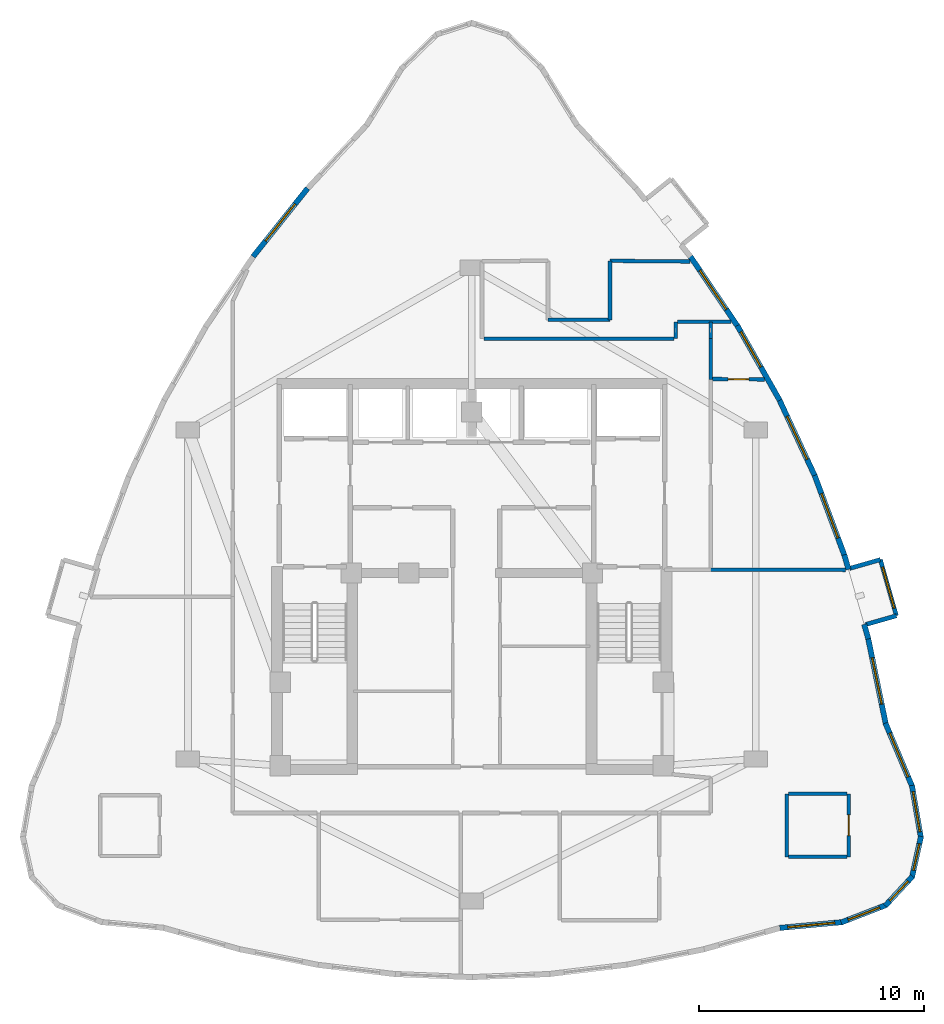
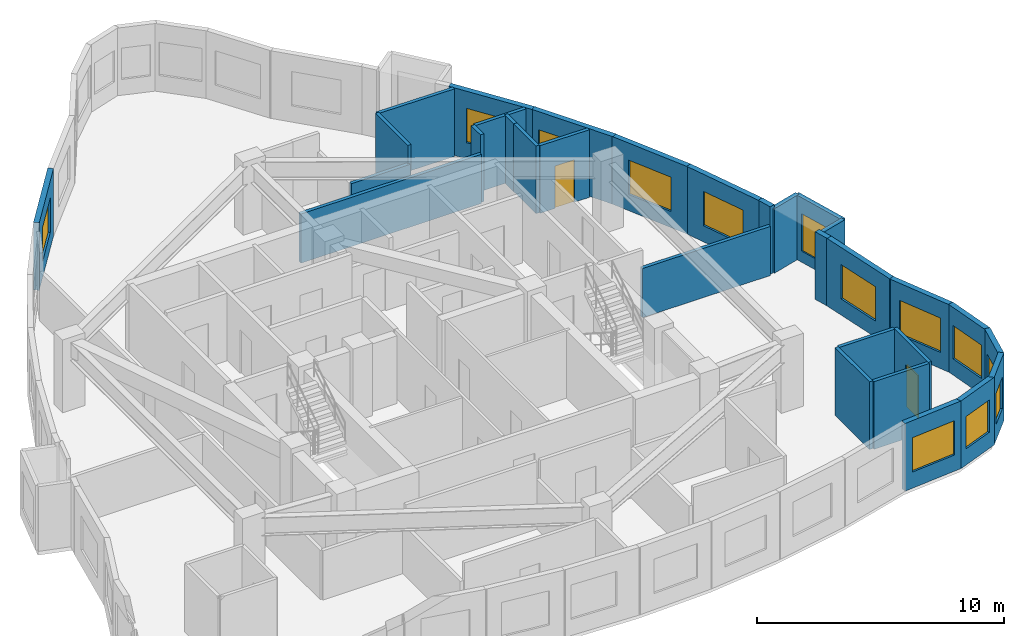
# One storey, part 6 of 8: 31 walls, 13 windows, 2 doors, 15 openings.
"""IFC4 building model written with IfcOpenShell, lengths in metres."""

from ifc_helpers import new_model, si_unit, direction, frame, frame_2d, origin, place, context, subcontext, project, spatial, rectangle, extrude, material, layer, layer_set, type_object, element, fill, save


model = new_model("IFC4")

# Units and contexts
model_context = context("Model", 3, precision=1e-05, world=origin(), true_north=direction((0.0, 1.0)))
body_context = subcontext(model_context, "Body", "Model", "MODEL_VIEW")
ifc_project = project(units=[si_unit("LENGTHUNIT", "METRE"), si_unit("AREAUNIT", "SQUARE_METRE"), si_unit("VOLUMEUNIT", "CUBIC_METRE"), si_unit("PLANEANGLEUNIT", "RADIAN"), si_unit("MASSUNIT", "GRAM", prefix="KILO")], contexts=[model_context])

# Site, building, storey
site_placement = place(None, origin())
site = spatial("IfcSite", under=ifc_project, at=site_placement, CompositionType="ELEMENT")
building_placement = place(site_placement, origin())
building = spatial("IfcBuilding", under=site, at=building_placement, Name="Miruveldt Soraemaru", CompositionType="ELEMENT")
storey_placement = place(building_placement, frame((0.0, 0.0, 237.60009765625)))
storey = spatial("IfcBuildingStorey", under=building, at=storey_placement, Name="L65", CompositionType="ELEMENT", Elevation=237.60009765625)

# Walls
ifc_material_1 = material(Name="White powder-coated aluminium EN AW-6060 T6", Category="aluminium")
ifc_layer_1 = layer(ifc_material_1, 0.18994140625, Name="White powder-coated aluminium EN AW-6060 T6", Category="aluminium")
ifc_layer_set_1 = layer_set([ifc_layer_1], Name="White powder-coated aluminium EN AW-6060 T6")
wall_type_1 = type_object("IfcWallType", Name="WALL-BAY-ALU190", PredefinedType="SOLIDWALL", material=ifc_layer_set_1)
wall_1_placement = place(storey_placement, frame((61.471923828125, 41.761474609375, 0.0), z_axis=(0.0, 0.0, 1.0), x_axis=(0.961439844578, 0.275015318223, 0.0)))
element("IfcWall", 1, at=wall_1_placement, inside=storey, type_object=wall_type_1, Name="L65 Bay Window Side Cheek 2L", PredefinedType="SOLIDWALL", context=body_context, shape_type="SweptSolid", body=[
    extrude(rectangle(XDim=1.4248046875, YDim=0.18994140625, at=frame_2d((0.71240234375, 0.0))), origin(), (0.0, 0.0, 1.0), 3.19482421875),
])
wall_2_placement = place(storey_placement, frame((62.129150390625, 44.6455078125, 0.0), z_axis=(0.0, 0.0, 1.0), x_axis=(-0.961452801096, -0.274970018845, 0.0)))
element("IfcWall", 2, at=wall_2_placement, inside=storey, type_object=wall_type_1, Name="L65 Bay Window Side Cheek 2R", PredefinedType="SOLIDWALL", context=body_context, shape_type="SweptSolid", body=[
    extrude(rectangle(XDim=1.425048828125, YDim=0.18994140625, at=frame_2d((0.71240234375, 0.0))), origin(), (0.0, 0.0, 1.0), 3.19482421875),
])

# Wall, opening, window
wall_3_placement = place(storey_placement, frame((62.841796875, 42.1533203125, 0.0), z_axis=(0.0, 0.0, 1.0), x_axis=(-0.274932598298, 0.961463502372, 0.0)))
wall_3 = element("IfcWall", 3, at=wall_3_placement, inside=storey, type_object=wall_type_1, Name="L65 Bay Window Front Frame 2", PredefinedType="SOLIDWALL", context=body_context, shape_type="SweptSolid", body=[
    extrude(rectangle(XDim=2.592041015625, YDim=0.18994140625, at=frame_2d((1.2958984375, 0.0))), origin(), (0.0, 0.0, 1.0), 3.19482421875),
])
opening_1_placement = place(wall_3_placement, frame((0.345947265625, 0.0, 0.550048828125)))
opening_1 = element("IfcOpeningElement", 4, at=opening_1_placement, cuts=wall_3, Name="Opening WN-6", PredefinedType="OPENING", context=body_context, shape_type="SweptSolid", body=[
    extrude(rectangle(XDim=1.89990234375, YDim=1.85009765625, at=frame_2d((0.949951171875, 0.925048828125))), frame((0.0, 0.10498046875, 0.0), z_axis=(0.0, -1.0, 0.0), x_axis=(1.0, 0.0, 0.0)), (0.0, 0.0, 1.0), 0.2099609375),
])
ifc_material_2 = material(Name="Triple low-e insulated glazing", Category="glass")
window_type_1 = type_object("IfcWindowType", Name="WIN-BAYW-1900x1850", PartitioningType="SINGLE_PANEL", PredefinedType="WINDOW", material=ifc_material_2)
window_1_placement = place(opening_1_placement, origin())
window_1 = element("IfcWindow", 5, at=window_1_placement, inside=storey, type_object=window_type_1, Name="L65 Projecting Bay Window 2", OverallHeight=1.85009765625, OverallWidth=1.89990234375, PartitioningType="SINGLE_PANEL", PredefinedType="WINDOW", context=body_context, shape_type="SweptSolid", body=[
    extrude(rectangle(XDim=1.89990234375, YDim=1.85009765625, at=frame_2d((0.949951171875, 0.925048828125))), frame((0.0, 0.030029296875, 0.0), z_axis=(0.0, -1.0, 0.0), x_axis=(1.0, 0.0, 0.0)), (0.0, 0.0, 1.0), 0.06005859375),
])
fill(opening_1, window_1)

ifc_material_3 = material(Name="Precast concrete C45/55 (45 MPa)", Category="concrete")
ifc_layer_2 = layer(ifc_material_3, 0.239990234375, Name="Precast concrete C45/55 (45 MPa)", Category="concrete")
ifc_layer_set_2 = layer_set([ifc_layer_2], Name="Precast concrete C45/55 (45 MPa)")
wall_type_2 = type_object("IfcWallType", Name="WALL-EXT-PC240", PredefinedType="SOLIDWALL", material=ifc_layer_set_2)
wall_4_placement = place(storey_placement, frame((36.711669921875, 61.12255859375, 0.0), z_axis=(0.0, 0.0, 1.0), x_axis=(-0.623620719277, -0.781727061377, 0.0)))
wall_4 = element("IfcWall", 6, at=wall_4_placement, inside=storey, type_object=wall_type_2, Name="L65 Precast Concrete Facade Wall 8", PredefinedType="SOLIDWALL", context=body_context, shape_type="SweptSolid", body=[
    extrude(rectangle(XDim=3.882080078125, YDim=0.239990234375, at=frame_2d((1.94091796875, 0.0))), origin(), (0.0, 0.0, 1.0), 3.344970703125),
])
opening_2_placement = place(wall_4_placement, frame((0.89111328125, 0.0, 0.800048828125)))
opening_2 = element("IfcOpeningElement", 7, at=opening_2_placement, cuts=wall_4, Name="Opening WN-1", PredefinedType="OPENING", context=body_context, shape_type="SweptSolid", body=[
    extrude(rectangle(XDim=2.10009765625, YDim=1.699951171875, at=frame_2d((1.050048828125, 0.85009765625))), frame((0.0, 0.1298828125, 0.0), z_axis=(0.0, -1.0, 0.0), x_axis=(1.0, 0.0, 0.0)), (0.0, 0.0, 1.0), 0.260009765625),
])
window_type_2 = type_object("IfcWindowType", Name="WIN-PUNCH-2100x1700", PartitioningType="SINGLE_PANEL", PredefinedType="WINDOW", material=ifc_material_2)
window_2_placement = place(opening_2_placement, origin())
window_2 = element("IfcWindow", 8, at=window_2_placement, inside=storey, type_object=window_type_2, Name="L65 Punched Triple-Glazed Window 08.1", OverallHeight=1.699951171875, OverallWidth=2.10009765625, PartitioningType="SINGLE_PANEL", PredefinedType="WINDOW", context=body_context, shape_type="SweptSolid", body=[
    extrude(rectangle(XDim=2.10009765625, YDim=1.699951171875, at=frame_2d((1.050048828125, 0.85009765625))), frame((0.0, 0.030029296875, 0.0), z_axis=(0.0, -1.0, 0.0), x_axis=(1.0, 0.0, 0.0)), (0.0, 0.0, 1.0), 0.06005859375),
])
fill(opening_2, window_2)

wall_5_placement = place(storey_placement, frame((57.6669921875, 28.30078125, 0.0), z_axis=(0.0, 0.0, 1.0), x_axis=(0.995765207839, 0.091932860594, 0.0)))
wall_5 = element("IfcWall", 9, at=wall_5_placement, inside=storey, type_object=wall_type_2, Name="L65 Precast Concrete Facade Wall 29", PredefinedType="SOLIDWALL", context=body_context, shape_type="SweptSolid", body=[
    extrude(rectangle(XDim=2.804443359375, YDim=0.239990234375, at=frame_2d((1.40234375, 0.0))), origin(), (0.0, 0.0, 1.0), 3.344970703125),
])
opening_3_placement = place(wall_5_placement, frame((0.35205078125, 0.0, 0.800048828125)))
opening_3 = element("IfcOpeningElement", 10, at=opening_3_placement, cuts=wall_5, Name="Opening WN-1", PredefinedType="OPENING", context=body_context, shape_type="SweptSolid", body=[
    extrude(rectangle(XDim=2.10009765625, YDim=1.699951171875, at=frame_2d((1.050048828125, 0.85009765625))), frame((0.0, 0.1298828125, 0.0), z_axis=(0.0, -1.0, 0.0), x_axis=(1.0, 0.0, 0.0)), (0.0, 0.0, 1.0), 0.260009765625),
])
window_3_placement = place(opening_3_placement, origin())
window_3 = element("IfcWindow", 11, at=window_3_placement, inside=storey, type_object=window_type_2, Name="L65 Punched Triple-Glazed Window 29.1", OverallHeight=1.699951171875, OverallWidth=2.10009765625, PartitioningType="SINGLE_PANEL", PredefinedType="WINDOW", context=body_context, shape_type="SweptSolid", body=[
    extrude(rectangle(XDim=2.10009765625, YDim=1.699951171875, at=frame_2d((1.050048828125, 0.85009765625))), frame((0.0, 0.030029296875, 0.0), z_axis=(0.0, -1.0, 0.0), x_axis=(1.0, 0.0, 0.0)), (0.0, 0.0, 1.0), 0.06005859375),
])
fill(opening_3, window_3)

wall_6_placement = place(storey_placement, frame((60.391845703125, 28.542724609375, 0.0), z_axis=(0.0, 0.0, 1.0), x_axis=(0.932246744433, 0.361823171582, 0.0)))
wall_6 = element("IfcWall", 12, at=wall_6_placement, inside=storey, type_object=wall_type_2, Name="L65 Precast Concrete Facade Wall 30", PredefinedType="SOLIDWALL", context=body_context, shape_type="SweptSolid", body=[
    extrude(rectangle(XDim=2.15576171875, YDim=0.239990234375, at=frame_2d((1.077880859375, 0.0))), origin(), (0.0, 0.0, 1.0), 3.344970703125),
])
opening_4_placement = place(wall_6_placement, frame((0.327880859375, 0.0, 0.800048828125)))
opening_4 = element("IfcOpeningElement", 13, at=opening_4_placement, cuts=wall_6, Name="Opening WN-3", PredefinedType="OPENING", context=body_context, shape_type="SweptSolid", body=[
    extrude(rectangle(XDim=1.5, YDim=1.60009765625, at=frame_2d((0.75, 0.800048828125))), frame((0.0, 0.1298828125, 0.0), z_axis=(0.0, -1.0, 0.0), x_axis=(1.0, 0.0, 0.0)), (0.0, 0.0, 1.0), 0.260009765625),
])
window_type_3 = type_object("IfcWindowType", Name="WIN-PUNCH-1500x1600", PartitioningType="SINGLE_PANEL", PredefinedType="WINDOW", material=ifc_material_2)
window_4_placement = place(opening_4_placement, origin())
window_4 = element("IfcWindow", 14, at=window_4_placement, inside=storey, type_object=window_type_3, Name="L65 Punched Triple-Glazed Window 30.1", OverallHeight=1.60009765625, OverallWidth=1.5, PartitioningType="SINGLE_PANEL", PredefinedType="WINDOW", context=body_context, shape_type="SweptSolid", body=[
    extrude(rectangle(XDim=1.5, YDim=1.60009765625, at=frame_2d((0.75, 0.800048828125))), frame((0.0, 0.030029296875, 0.0), z_axis=(0.0, -1.0, 0.0), x_axis=(1.0, 0.0, 0.0)), (0.0, 0.0, 1.0), 0.06005859375),
])
fill(opening_4, window_4)

wall_7_placement = place(storey_placement, frame((62.34521484375, 29.2841796875, 0.0), z_axis=(0.0, 0.0, 1.0), x_axis=(0.68022555835, 0.733002857953, 0.0)))
wall_7 = element("IfcWall", 15, at=wall_7_placement, inside=storey, type_object=wall_type_2, Name="L65 Precast Concrete Facade Wall 31", PredefinedType="SOLIDWALL", context=body_context, shape_type="SweptSolid", body=[
    extrude(rectangle(XDim=1.78564453125, YDim=0.239990234375, at=frame_2d((0.892822265625, 0.0))), origin(), (0.0, 0.0, 1.0), 3.344970703125),
])
opening_5_placement = place(wall_7_placement, frame((0.2919921875, 0.0, 0.780029296875)))
opening_5 = element("IfcOpeningElement", 16, at=opening_5_placement, cuts=wall_7, Name="Opening WN-4", PredefinedType="OPENING", context=body_context, shape_type="SweptSolid", body=[
    extrude(rectangle(XDim=1.199951171875, YDim=1.550048828125, at=frame_2d((0.60009765625, 0.77490234375))), frame((0.0, 0.1298828125, 0.0), z_axis=(0.0, -1.0, 0.0), x_axis=(1.0, 0.0, 0.0)), (0.0, 0.0, 1.0), 0.260009765625),
])
window_type_4 = type_object("IfcWindowType", Name="WIN-PUNCH-1200x1550", PartitioningType="SINGLE_PANEL", PredefinedType="WINDOW", material=ifc_material_2)
window_5_placement = place(opening_5_placement, origin())
window_5 = element("IfcWindow", 17, at=window_5_placement, inside=storey, type_object=window_type_4, Name="L65 Punched Triple-Glazed Window 31.1", OverallHeight=1.550048828125, OverallWidth=1.199951171875, PartitioningType="SINGLE_PANEL", PredefinedType="WINDOW", context=body_context, shape_type="SweptSolid", body=[
    extrude(rectangle(XDim=1.199951171875, YDim=1.550048828125, at=frame_2d((0.60009765625, 0.77490234375))), frame((0.0, 0.030029296875, 0.0), z_axis=(0.0, -1.0, 0.0), x_axis=(1.0, 0.0, 0.0)), (0.0, 0.0, 1.0), 0.06005859375),
])
fill(opening_5, window_5)

wall_8_placement = place(storey_placement, frame((63.5283203125, 30.533203125, 0.0), z_axis=(0.0, 0.0, 1.0), x_axis=(0.215729538574, 0.976453156166, 0.0)))
wall_8 = element("IfcWall", 18, at=wall_8_placement, inside=storey, type_object=wall_type_2, Name="L65 Precast Concrete Facade Wall 32", PredefinedType="SOLIDWALL", context=body_context, shape_type="SweptSolid", body=[
    extrude(rectangle(XDim=1.873046875, YDim=0.239990234375, at=frame_2d((0.9365234375, 0.0))), origin(), (0.0, 0.0, 1.0), 3.344970703125),
])
opening_6_placement = place(wall_8_placement, frame((0.3369140625, 0.0, 0.780029296875)))
opening_6 = element("IfcOpeningElement", 19, at=opening_6_placement, cuts=wall_8, Name="Opening WN-4", PredefinedType="OPENING", context=body_context, shape_type="SweptSolid", body=[
    extrude(rectangle(XDim=1.199951171875, YDim=1.550048828125, at=frame_2d((0.60009765625, 0.77490234375))), frame((0.0, 0.1298828125, 0.0), z_axis=(0.0, -1.0, 0.0), x_axis=(1.0, 0.0, 0.0)), (0.0, 0.0, 1.0), 0.260009765625),
])
window_6_placement = place(opening_6_placement, origin())
window_6 = element("IfcWindow", 20, at=window_6_placement, inside=storey, type_object=window_type_4, Name="L65 Punched Triple-Glazed Window 32.1", OverallHeight=1.550048828125, OverallWidth=1.199951171875, PartitioningType="SINGLE_PANEL", PredefinedType="WINDOW", context=body_context, shape_type="SweptSolid", body=[
    extrude(rectangle(XDim=1.199951171875, YDim=1.550048828125, at=frame_2d((0.60009765625, 0.77490234375))), frame((0.0, 0.030029296875, 0.0), z_axis=(0.0, -1.0, 0.0), x_axis=(1.0, 0.0, 0.0)), (0.0, 0.0, 1.0), 0.06005859375),
])
fill(opening_6, window_6)

wall_9_placement = place(storey_placement, frame((63.9306640625, 32.29345703125, 0.0), z_axis=(0.0, 0.0, 1.0), x_axis=(-0.169281623361, 0.985567720653, 0.0)))
wall_9 = element("IfcWall", 21, at=wall_9_placement, inside=storey, type_object=wall_type_2, Name="L65 Precast Concrete Facade Wall 33", PredefinedType="SOLIDWALL", context=body_context, shape_type="SweptSolid", body=[
    extrude(rectangle(XDim=2.36669921875, YDim=0.239990234375, at=frame_2d((1.183349609375, 0.0))), origin(), (0.0, 0.0, 1.0), 3.344970703125),
])
opening_7_placement = place(wall_9_placement, frame((0.282958984375, 0.0, 0.800048828125)))
opening_7 = element("IfcOpeningElement", 22, at=opening_7_placement, cuts=wall_9, Name="Opening WN-2", PredefinedType="OPENING", context=body_context, shape_type="SweptSolid", body=[
    extrude(rectangle(XDim=1.800048828125, YDim=1.64990234375, at=frame_2d((0.89990234375, 0.824951171875))), frame((0.0, 0.1298828125, 0.0), z_axis=(0.0, -1.0, 0.0), x_axis=(1.0, 0.0, 0.0)), (0.0, 0.0, 1.0), 0.260009765625),
])
window_type_5 = type_object("IfcWindowType", Name="WIN-PUNCH-1800x1650", PartitioningType="SINGLE_PANEL", PredefinedType="WINDOW", material=ifc_material_2)
window_7_placement = place(opening_7_placement, origin())
window_7 = element("IfcWindow", 23, at=window_7_placement, inside=storey, type_object=window_type_5, Name="L65 Punched Triple-Glazed Window 33.1", OverallHeight=1.64990234375, OverallWidth=1.800048828125, PartitioningType="SINGLE_PANEL", PredefinedType="WINDOW", context=body_context, shape_type="SweptSolid", body=[
    extrude(rectangle(XDim=1.800048828125, YDim=1.64990234375, at=frame_2d((0.89990234375, 0.824951171875))), frame((0.0, 0.030029296875, 0.0), z_axis=(0.0, -1.0, 0.0), x_axis=(1.0, 0.0, 0.0)), (0.0, 0.0, 1.0), 0.06005859375),
])
fill(opening_7, window_7)

wall_10_placement = place(storey_placement, frame((63.549560546875, 34.55908203125, 0.0), z_axis=(0.0, 0.0, 1.0), x_axis=(-0.388657289862, 0.921382391321, 0.0)))
wall_10 = element("IfcWall", 24, at=wall_10_placement, inside=storey, type_object=wall_type_2, Name="L65 Precast Concrete Facade Wall 34", PredefinedType="SOLIDWALL", context=body_context, shape_type="SweptSolid", body=[
    extrude(rectangle(XDim=3.072265625, YDim=0.239990234375, at=frame_2d((1.5361328125, 0.0))), origin(), (0.0, 0.0, 1.0), 3.344970703125),
])
opening_8_placement = place(wall_10_placement, frame((0.486083984375, 0.0, 0.800048828125)))
opening_8 = element("IfcOpeningElement", 25, at=opening_8_placement, cuts=wall_10, Name="Opening WN-1", PredefinedType="OPENING", context=body_context, shape_type="SweptSolid", body=[
    extrude(rectangle(XDim=2.10009765625, YDim=1.699951171875, at=frame_2d((1.050048828125, 0.85009765625))), frame((0.0, 0.1298828125, 0.0), z_axis=(0.0, -1.0, 0.0), x_axis=(1.0, 0.0, 0.0)), (0.0, 0.0, 1.0), 0.260009765625),
])
window_8_placement = place(opening_8_placement, origin())
window_8 = element("IfcWindow", 26, at=window_8_placement, inside=storey, type_object=window_type_2, Name="L65 Punched Triple-Glazed Window 34.1", OverallHeight=1.699951171875, OverallWidth=2.10009765625, PartitioningType="SINGLE_PANEL", PredefinedType="WINDOW", context=body_context, shape_type="SweptSolid", body=[
    extrude(rectangle(XDim=2.10009765625, YDim=1.699951171875, at=frame_2d((1.050048828125, 0.85009765625))), frame((0.0, 0.030029296875, 0.0), z_axis=(0.0, -1.0, 0.0), x_axis=(1.0, 0.0, 0.0)), (0.0, 0.0, 1.0), 0.06005859375),
])
fill(opening_8, window_8)

wall_11_placement = place(storey_placement, frame((62.376220703125, 37.323486328125, 0.0), z_axis=(0.0, 0.0, 1.0), x_axis=(-0.201590165502, 0.979469961343, 0.0)))
wall_11 = element("IfcWall", 27, at=wall_11_placement, inside=storey, type_object=wall_type_2, Name="L65 Precast Concrete Facade Wall 35", PredefinedType="SOLIDWALL", context=body_context, shape_type="SweptSolid", body=[
    extrude(rectangle(XDim=3.95166015625, YDim=0.239990234375, at=frame_2d((1.975830078125, 0.0))), origin(), (0.0, 0.0, 1.0), 3.344970703125),
])
opening_9_placement = place(wall_11_placement, frame((0.926025390625, 0.0, 0.800048828125)))
opening_9 = element("IfcOpeningElement", 28, at=opening_9_placement, cuts=wall_11, Name="Opening WN-1", PredefinedType="OPENING", context=body_context, shape_type="SweptSolid", body=[
    extrude(rectangle(XDim=2.10009765625, YDim=1.699951171875, at=frame_2d((1.050048828125, 0.85009765625))), frame((0.0, 0.1298828125, 0.0), z_axis=(0.0, -1.0, 0.0), x_axis=(1.0, 0.0, 0.0)), (0.0, 0.0, 1.0), 0.260009765625),
])
window_9_placement = place(opening_9_placement, origin())
window_9 = element("IfcWindow", 29, at=window_9_placement, inside=storey, type_object=window_type_2, Name="L65 Punched Triple-Glazed Window 35.1", OverallHeight=1.699951171875, OverallWidth=2.10009765625, PartitioningType="SINGLE_PANEL", PredefinedType="WINDOW", context=body_context, shape_type="SweptSolid", body=[
    extrude(rectangle(XDim=2.10009765625, YDim=1.699951171875, at=frame_2d((1.050048828125, 0.85009765625))), frame((0.0, 0.030029296875, 0.0), z_axis=(0.0, -1.0, 0.0), x_axis=(1.0, 0.0, 0.0)), (0.0, 0.0, 1.0), 0.06005859375),
])
fill(opening_9, window_9)

# Walls
wall_12_placement = place(storey_placement, frame((61.59619140625, 41.126220703125, 0.0), z_axis=(0.0, 0.0, 1.0), x_axis=(-0.274577784961, 0.961564891209, 0.0)))
element("IfcWall", 30, at=wall_12_placement, inside=storey, type_object=wall_type_2, Name="L65 Precast Pier Wall 36A", PredefinedType="SOLIDWALL", context=body_context, shape_type="SweptSolid", body=[
    extrude(rectangle(XDim=0.6748046875, YDim=0.239990234375, at=frame_2d((0.33740234375, 0.0))), origin(), (0.0, 0.0, 1.0), 3.344970703125),
])
wall_13_placement = place(storey_placement, frame((60.71435546875, 44.209716796875, 0.0), z_axis=(0.0, 0.0, 1.0), x_axis=(-0.274912223322, 0.961469328407, 0.0)))
element("IfcWall", 31, at=wall_13_placement, inside=storey, type_object=wall_type_2, Name="L65 Precast Pier Wall 36B", PredefinedType="SOLIDWALL", context=body_context, shape_type="SweptSolid", body=[
    extrude(rectangle(XDim=0.675048828125, YDim=0.239990234375, at=frame_2d((0.33740234375, 0.0))), origin(), (0.0, 0.0, 1.0), 3.344970703125),
])

# Wall, opening, window
wall_14_placement = place(storey_placement, frame((60.55078125, 44.792236328125, 0.0), z_axis=(0.0, 0.0, 1.0), x_axis=(-0.349057504323, 0.937101306517, 0.0)))
wall_14 = element("IfcWall", 32, at=wall_14_placement, inside=storey, type_object=wall_type_2, Name="L65 Precast Concrete Facade Wall 37", PredefinedType="SOLIDWALL", context=body_context, shape_type="SweptSolid", body=[
    extrude(rectangle(XDim=3.8349609375, YDim=0.239990234375, at=frame_2d((1.91748046875, 0.0))), origin(), (0.0, 0.0, 1.0), 3.344970703125),
])
opening_10_placement = place(wall_14_placement, frame((0.866943359375, 0.0, 0.800048828125)))
opening_10 = element("IfcOpeningElement", 33, at=opening_10_placement, cuts=wall_14, Name="Opening WN-1", PredefinedType="OPENING", context=body_context, shape_type="SweptSolid", body=[
    extrude(rectangle(XDim=2.10009765625, YDim=1.699951171875, at=frame_2d((1.050048828125, 0.85009765625))), frame((0.0, 0.1298828125, 0.0), z_axis=(0.0, -1.0, 0.0), x_axis=(1.0, 0.0, 0.0)), (0.0, 0.0, 1.0), 0.260009765625),
])
window_10_placement = place(opening_10_placement, origin())
window_10 = element("IfcWindow", 34, at=window_10_placement, inside=storey, type_object=window_type_2, Name="L65 Punched Triple-Glazed Window 37.1", OverallHeight=1.699951171875, OverallWidth=2.10009765625, PartitioningType="SINGLE_PANEL", PredefinedType="WINDOW", context=body_context, shape_type="SweptSolid", body=[
    extrude(rectangle(XDim=2.10009765625, YDim=1.699951171875, at=frame_2d((1.050048828125, 0.85009765625))), frame((0.0, 0.030029296875, 0.0), z_axis=(0.0, -1.0, 0.0), x_axis=(1.0, 0.0, 0.0)), (0.0, 0.0, 1.0), 0.06005859375),
])
fill(opening_10, window_10)

wall_15_placement = place(storey_placement, frame((59.2392578125, 48.3212890625, 0.0), z_axis=(0.0, 0.0, 1.0), x_axis=(-0.422289186976, 0.906461164399, 0.0)))
wall_15 = element("IfcWall", 35, at=wall_15_placement, inside=storey, type_object=wall_type_2, Name="L65 Precast Concrete Facade Wall 38", PredefinedType="SOLIDWALL", context=body_context, shape_type="SweptSolid", body=[
    extrude(rectangle(XDim=3.81103515625, YDim=0.239990234375, at=frame_2d((1.905517578125, 0.0))), origin(), (0.0, 0.0, 1.0), 3.344970703125),
])
opening_11_placement = place(wall_15_placement, frame((0.85498046875, 0.0, 0.800048828125)))
opening_11 = element("IfcOpeningElement", 36, at=opening_11_placement, cuts=wall_15, Name="Opening WN-1", PredefinedType="OPENING", context=body_context, shape_type="SweptSolid", body=[
    extrude(rectangle(XDim=2.10009765625, YDim=1.699951171875, at=frame_2d((1.050048828125, 0.85009765625))), frame((0.0, 0.1298828125, 0.0), z_axis=(0.0, -1.0, 0.0), x_axis=(1.0, 0.0, 0.0)), (0.0, 0.0, 1.0), 0.260009765625),
])
window_11_placement = place(opening_11_placement, origin())
window_11 = element("IfcWindow", 37, at=window_11_placement, inside=storey, type_object=window_type_2, Name="L65 Punched Triple-Glazed Window 38.1", OverallHeight=1.699951171875, OverallWidth=2.10009765625, PartitioningType="SINGLE_PANEL", PredefinedType="WINDOW", context=body_context, shape_type="SweptSolid", body=[
    extrude(rectangle(XDim=2.10009765625, YDim=1.699951171875, at=frame_2d((1.050048828125, 0.85009765625))), frame((0.0, 0.030029296875, 0.0), z_axis=(0.0, -1.0, 0.0), x_axis=(1.0, 0.0, 0.0)), (0.0, 0.0, 1.0), 0.06005859375),
])
fill(opening_11, window_11)

wall_16_placement = place(storey_placement, frame((57.661865234375, 51.7138671875, 0.0), z_axis=(0.0, 0.0, 1.0), x_axis=(-0.493418236868, 0.869792184103, 0.0)))
wall_16 = element("IfcWall", 38, at=wall_16_placement, inside=storey, type_object=wall_type_2, Name="L65 Precast Concrete Facade Wall 39", PredefinedType="SOLIDWALL", context=body_context, shape_type="SweptSolid", body=[
    extrude(rectangle(XDim=3.810791015625, YDim=0.239990234375, at=frame_2d((1.9052734375, 0.0))), origin(), (0.0, 0.0, 1.0), 3.344970703125),
])
opening_12_placement = place(wall_16_placement, frame((1.694091796875, 0.0, 0.800048828125)))
opening_12 = element("IfcOpeningElement", 39, at=opening_12_placement, cuts=wall_16, Name="Opening WN-2", PredefinedType="OPENING", context=body_context, shape_type="SweptSolid", body=[
    extrude(rectangle(XDim=1.800048828125, YDim=1.64990234375, at=frame_2d((0.89990234375, 0.824951171875))), frame((0.0, 0.1298828125, 0.0), z_axis=(0.0, -1.0, 0.0), x_axis=(1.0, 0.0, 0.0)), (0.0, 0.0, 1.0), 0.260009765625),
])
window_12_placement = place(opening_12_placement, origin())
window_12 = element("IfcWindow", 40, at=window_12_placement, inside=storey, type_object=window_type_5, Name="L65 Punched Triple-Glazed Window 39.1", OverallHeight=1.64990234375, OverallWidth=1.800048828125, PartitioningType="SINGLE_PANEL", PredefinedType="WINDOW", context=body_context, shape_type="SweptSolid", body=[
    extrude(rectangle(XDim=1.800048828125, YDim=1.64990234375, at=frame_2d((0.89990234375, 0.824951171875))), frame((0.0, 0.030029296875, 0.0), z_axis=(0.0, -1.0, 0.0), x_axis=(1.0, 0.0, 0.0)), (0.0, 0.0, 1.0), 0.06005859375),
])
fill(opening_12, window_12)

wall_17_placement = place(storey_placement, frame((55.818603515625, 54.96923828125, 0.0), z_axis=(0.0, 0.0, 1.0), x_axis=(-0.560811544935, 0.827943483015, 0.0)))
wall_17 = element("IfcWall", 41, at=wall_17_placement, inside=storey, type_object=wall_type_2, Name="L65 Precast Concrete Facade Wall 40", PredefinedType="SOLIDWALL", context=body_context, shape_type="SweptSolid", body=[
    extrude(rectangle(XDim=3.8349609375, YDim=0.239990234375, at=frame_2d((1.91748046875, 0.0))), origin(), (0.0, 0.0, 1.0), 3.344970703125),
])
opening_13_placement = place(wall_17_placement, frame((0.93408203125, 0.0, 0.800048828125)))
opening_13 = element("IfcOpeningElement", 42, at=opening_13_placement, cuts=wall_17, Name="Opening WN-1", PredefinedType="OPENING", context=body_context, shape_type="SweptSolid", body=[
    extrude(rectangle(XDim=2.10009765625, YDim=1.699951171875, at=frame_2d((1.050048828125, 0.85009765625))), frame((0.0, 0.1298828125, 0.0), z_axis=(0.0, -1.0, 0.0), x_axis=(1.0, 0.0, 0.0)), (0.0, 0.0, 1.0), 0.260009765625),
])
window_13_placement = place(opening_13_placement, origin())
window_13 = element("IfcWindow", 43, at=window_13_placement, inside=storey, type_object=window_type_2, Name="L65 Punched Triple-Glazed Window 40.1", OverallHeight=1.699951171875, OverallWidth=2.10009765625, PartitioningType="SINGLE_PANEL", PredefinedType="WINDOW", context=body_context, shape_type="SweptSolid", body=[
    extrude(rectangle(XDim=2.10009765625, YDim=1.699951171875, at=frame_2d((1.050048828125, 0.85009765625))), frame((0.0, 0.030029296875, 0.0), z_axis=(0.0, -1.0, 0.0), x_axis=(1.0, 0.0, 0.0)), (0.0, 0.0, 1.0), 0.06005859375),
])
fill(opening_13, window_13)

# Wall, opening, door
ifc_material_4 = material(Name="Concrete C40/50 (40 MPa)", Category="concrete")
ifc_layer_3 = layer(ifc_material_4, 0.159912109375, Name="Concrete C40/50 (40 MPa)", Category="concrete")
ifc_layer_set_3 = layer_set([ifc_layer_3], Name="Concrete C40/50 (40 MPa)")
wall_type_3 = type_object("IfcWallType", Name="WALL-INT-RC160", PredefinedType="SOLIDWALL", material=ifc_layer_set_3)
wall_18_placement = place(storey_placement, frame((60.72998046875, 31.4541015625, 0.0), z_axis=(0.0, 0.0, 1.0), x_axis=(0.0, 1.0, 0.0)))
wall_18 = element("IfcWall", 44, at=wall_18_placement, inside=storey, type_object=wall_type_3, Name="L65 Partition Wall 28", PredefinedType="SOLIDWALL", context=body_context, shape_type="SweptSolid", body=[
    extrude(rectangle(XDim=2.7998046875, YDim=0.159912109375, at=frame_2d((1.39990234375, 0.0))), origin(), (0.0, 0.0, 1.0), 3.344970703125),
])
opening_14_placement = place(wall_18_placement, frame((0.93994140625, 0.0, 0.0)))
opening_14 = element("IfcOpeningElement", 45, at=opening_14_placement, cuts=wall_18, Name="Opening D3A", PredefinedType="OPENING", context=body_context, shape_type="SweptSolid", body=[
    extrude(rectangle(XDim=0.919921875, YDim=2.10009765625, at=frame_2d((0.4599609375, 1.050048828125))), frame((0.0, 0.08984375, 0.0), z_axis=(0.0, -1.0, 0.0), x_axis=(1.0, 0.0, 0.0)), (0.0, 0.0, 1.0), 0.179931640625),
])
ifc_material_5 = material(Name="Anodised aluminium EN AW-6063 T6", Category="aluminium")
door_type = type_object("IfcDoorType", Name="DOOR-INT-920", OperationType="NOTDEFINED", PredefinedType="DOOR", material=ifc_material_5)
door_1_placement = place(opening_14_placement, origin())
door_1 = element("IfcDoor", 46, at=door_1_placement, inside=storey, type_object=door_type, Name="L65 Unit 6504 KIT Door", OperationType="SINGLE_SWING_RIGHT", OverallHeight=2.10009765625, OverallWidth=0.919921875, PredefinedType="DOOR", context=body_context, shape_type="SweptSolid", body=[
    extrude(rectangle(XDim=0.919921875, YDim=2.10009765625, at=frame_2d((0.4599609375, 1.050048828125))), frame((0.0, 0.02490234375, 0.0), z_axis=(0.0, -1.0, 0.0), x_axis=(1.0, 0.0, 0.0)), (0.0, 0.0, 1.0), 0.050048828125),
])
fill(opening_14, door_1)

wall_19_placement = place(storey_placement, frame((56.98388671875, 52.635986328125, 0.0), z_axis=(0.0, 0.0, 1.0), x_axis=(-0.999935727117, 0.011337620303, 0.0)))
wall_19 = element("IfcWall", 47, at=wall_19_placement, inside=storey, type_object=wall_type_3, Name="L65 Partition Wall 18", PredefinedType="SOLIDWALL", context=body_context, shape_type="SweptSolid", body=[
    extrude(rectangle(XDim=2.30419921875, YDim=0.159912109375, at=frame_2d((1.152099609375, 0.0))), origin(), (0.0, 0.0, 1.0), 3.344970703125),
])
opening_15_placement = place(wall_19_placement, frame((0.69189453125, 0.0, 0.0)))
opening_15 = element("IfcOpeningElement", 48, at=opening_15_placement, cuts=wall_19, Name="Opening D3A", PredefinedType="OPENING", context=body_context, shape_type="SweptSolid", body=[
    extrude(rectangle(XDim=0.919921875, YDim=2.10009765625, at=frame_2d((0.4599609375, 1.050048828125))), frame((0.0, 0.08984375, 0.0), z_axis=(0.0, -1.0, 0.0), x_axis=(1.0, 0.0, 0.0)), (0.0, 0.0, 1.0), 0.179931640625),
])
door_2_placement = place(opening_15_placement, origin())
door_2 = element("IfcDoor", 49, at=door_2_placement, inside=storey, type_object=door_type, Name="L65 Unit 6502 BD1 Door", OperationType="SINGLE_SWING_LEFT", OverallHeight=2.10009765625, OverallWidth=0.919921875, PredefinedType="DOOR", context=body_context, shape_type="SweptSolid", body=[
    extrude(rectangle(XDim=0.919921875, YDim=2.10009765625, at=frame_2d((0.4599609375, 1.050048828125))), frame((0.0, 0.02490234375, 0.0), z_axis=(0.0, -1.0, 0.0), x_axis=(1.0, 0.0, 0.0)), (0.0, 0.0, 1.0), 0.050048828125),
])
fill(opening_15, door_2)

# Walls
wall_20_placement = place(storey_placement, frame((52.969970703125, 54.449951171875, 0.0), z_axis=(0.0, 0.0, 1.0), x_axis=(-1.0, 0.0, 0.0)))
element("IfcWall", 50, at=wall_20_placement, inside=storey, type_object=wall_type_3, Name="L65 Partition Wall 7", PredefinedType="SOLIDWALL", context=body_context, shape_type="SweptSolid", body=[
    extrude(rectangle(XDim=8.43994140625, YDim=0.159912109375, at=frame_2d((4.219970703125, 0.0))), origin(), (0.0, 0.0, 1.0), 2.432861328125),
])
wall_21_placement = place(storey_placement, frame((54.590087890625, 44.199951171875, 0.0), z_axis=(0.0, 0.0, 1.0), x_axis=(0.999997302234, -0.002322826775, 0.0)))
element("IfcWall", 51, at=wall_21_placement, inside=storey, type_object=wall_type_3, Name="L65 Partition Wall 19", PredefinedType="SOLIDWALL", context=body_context, shape_type="SweptSolid", body=[
    extrude(rectangle(XDim=5.990966796875, YDim=0.159912109375, at=frame_2d((2.99560546875, 0.0))), origin(), (0.0, 0.0, 1.0), 2.432861328125),
])
wall_22_placement = place(storey_placement, frame((50.1298828125, 57.903076171875, 0.0), z_axis=(0.0, 0.0, 1.0), x_axis=(0.999962054801, -0.008711426873, 0.0)))
element("IfcWall", 52, at=wall_22_placement, inside=storey, type_object=wall_type_3, Name="L65 Partition Wall 41", PredefinedType="SOLIDWALL", context=body_context, shape_type="SweptSolid", body=[
    extrude(rectangle(XDim=3.559326171875, YDim=0.159912109375, at=frame_2d((1.77978515625, 0.0))), origin(), (0.0, 0.0, 1.0), 3.344970703125),
])
wall_23_placement = place(storey_placement, frame((57.97998046875, 34.25390625, 0.0), z_axis=(0.0, 0.0, 1.0), x_axis=(0.0, -1.0, 0.0)))
element("IfcWall", 53, at=wall_23_placement, inside=storey, type_object=wall_type_3, Name="L65 Partition Wall 30", PredefinedType="SOLIDWALL", context=body_context, shape_type="SweptSolid", body=[
    extrude(rectangle(XDim=2.7998046875, YDim=0.159912109375, at=frame_2d((1.39990234375, 0.0))), origin(), (0.0, 0.0, 1.0), 3.344970703125),
])
wall_24_placement = place(storey_placement, frame((47.3798828125, 55.280029296875, 0.0), z_axis=(0.0, 0.0, 1.0), x_axis=(1.0, 0.0, 0.0)))
element("IfcWall", 54, at=wall_24_placement, inside=storey, type_object=wall_type_3, Name="L65 Partition Wall 39", PredefinedType="SOLIDWALL", context=body_context, shape_type="SweptSolid", body=[
    extrude(rectangle(XDim=2.75, YDim=0.159912109375, at=frame_2d((1.375, 0.0))), origin(), (0.0, 0.0, 1.0), 2.432861328125),
])
wall_25_placement = place(storey_placement, frame((50.1298828125, 55.280029296875, 0.0), z_axis=(0.0, 0.0, 1.0), x_axis=(0.0, 1.0, 0.0)))
element("IfcWall", 55, at=wall_25_placement, inside=storey, type_object=wall_type_3, Name="L65 Partition Wall 40", PredefinedType="SOLIDWALL", context=body_context, shape_type="SweptSolid", body=[
    extrude(rectangle(XDim=2.623046875, YDim=0.159912109375, at=frame_2d((1.3115234375, 0.0))), origin(), (0.0, 0.0, 1.0), 3.344970703125),
])
for number, where, z_axis, x_axis, name in (
    (56, (60.64990234375, 34.25390625, 0.0), (0.0, 0.0, 1.0), (-1.0, 0.0, 0.0), "L65 Partition Wall 29"),
    (57, (58.06005859375, 31.4541015625, 0.0), (0.0, 0.0, 1.0), (1.0, 0.0, 0.0), "L65 Partition Wall 31"),
):
    element("IfcWall", number, at=place(storey_placement, frame(where, z_axis=z_axis, x_axis=x_axis)), inside=storey, type_object=wall_type_3, Name=name, PredefinedType="SOLIDWALL", context=body_context, shape_type="SweptSolid", body=[
        extrude(rectangle(XDim=2.58984375, YDim=0.159912109375, at=frame_2d((1.294921875, 0.0))), origin(), (0.0, 0.0, 1.0), 3.344970703125),
    ])
wall_26_placement = place(storey_placement, frame((55.4990234375, 55.199951171875, 0.0), z_axis=(0.0, 0.0, 1.0), x_axis=(-1.0, 0.0, 0.0)))
element("IfcWall", 58, at=wall_26_placement, inside=storey, type_object=wall_type_3, Name="L65 Partition Wall 5", PredefinedType="SOLIDWALL", context=body_context, shape_type="SweptSolid", body=[
    extrude(rectangle(XDim=2.369140625, YDim=0.159912109375, at=frame_2d((1.1845703125, 0.0))), origin(), (0.0, 0.0, 1.0), 3.344970703125),
])
wall_27_placement = place(storey_placement, frame((54.60009765625, 52.64208984375, 0.0), z_axis=(0.0, 0.0, 1.0), x_axis=(0.0, 1.0, 0.0)))
element("IfcWall", 59, at=wall_27_placement, inside=storey, type_object=wall_type_3, Name="L65 Partition Wall 3", PredefinedType="SOLIDWALL", context=body_context, shape_type="SweptSolid", body=[
    extrude(rectangle(XDim=1.807861328125, YDim=0.159912109375, at=frame_2d((0.90380859375, 0.0))), origin(), (0.0, 0.0, 1.0), 3.344970703125),
])
for number, where, z_axis, x_axis, name in (
    (60, (54.60009765625, 54.449951171875, 0.0), (0.0, 0.0, 1.0), (0.0, 1.0, 0.0), "L65 Partition Wall 4"),
    (61, (53.050048828125, 55.199951171875, 0.0), (0.0, 0.0, 1.0), (0.0, -1.0, 0.0), "L65 Partition Wall 6"),
):
    element("IfcWall", number, at=place(storey_placement, frame(where, z_axis=z_axis, x_axis=x_axis)), inside=storey, type_object=wall_type_3, Name=name, PredefinedType="SOLIDWALL", context=body_context, shape_type="SweptSolid", body=[
        extrude(rectangle(XDim=0.75, YDim=0.159912109375, at=frame_2d((0.375, 0.0))), origin(), (0.0, 0.0, 1.0), 3.344970703125),
    ])

save(model, "model.ifc")
